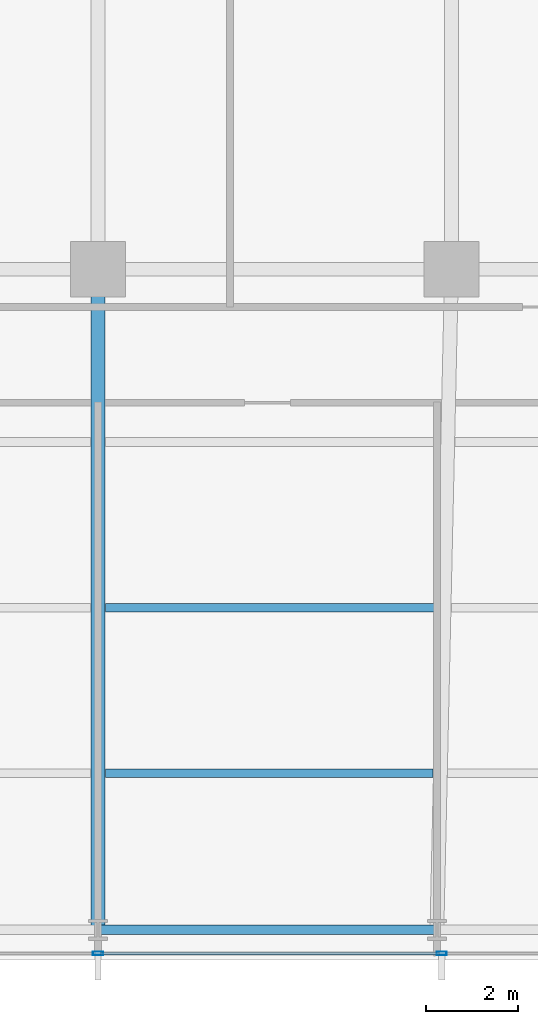
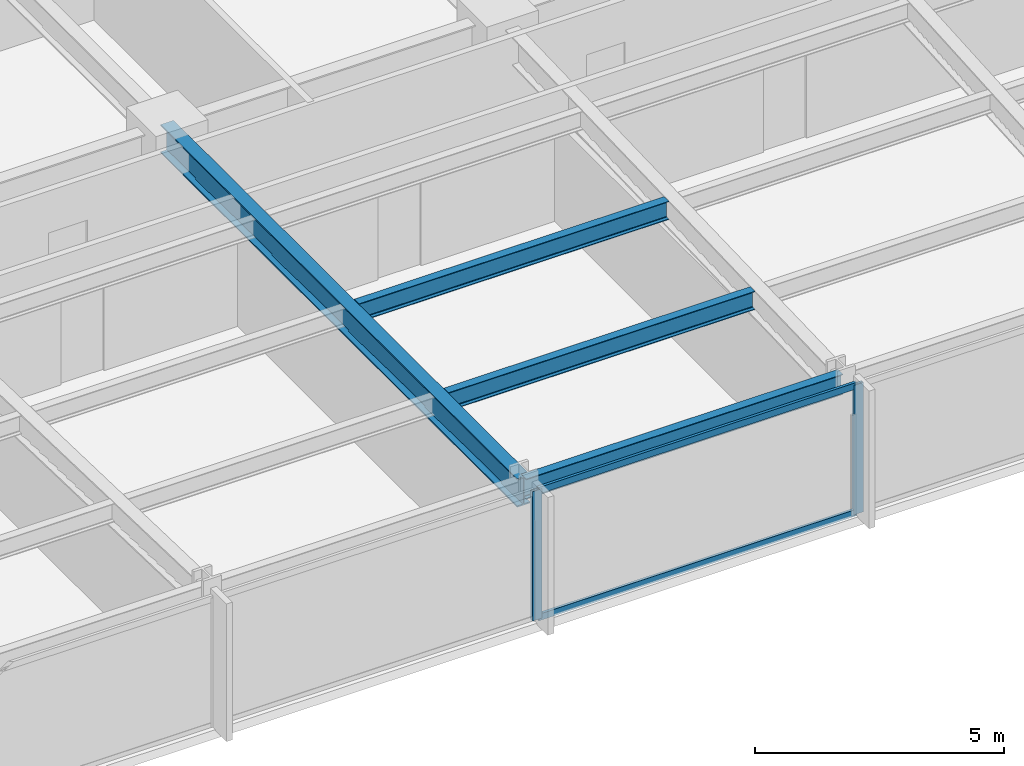
# One storey, part 11 of 33: 4 beams, 4 members, 1 element without a shape of its own.
"""IFC4 building model written with IfcOpenShell, lengths in metres."""

from ifc_helpers import new_model, si_unit, direction, frame, origin, origin_2d, place, context, subcontext, project, spatial, hollow_rectangle, i_section, extrude, material, material_profile, profile_set, type_object, element, aggregate, save


model = new_model("IFC4")

# Units and contexts
model_context = context("Model", 3, precision=1e-05, world=origin(), true_north=direction((0.0, 1.0)))
body_context = subcontext(model_context, "Body", "Model", "MODEL_VIEW")
ifc_project = project(units=[si_unit("LENGTHUNIT", "METRE"), si_unit("AREAUNIT", "SQUARE_METRE"), si_unit("VOLUMEUNIT", "CUBIC_METRE"), si_unit("PLANEANGLEUNIT", "RADIAN"), si_unit("MASSUNIT", "GRAM", prefix="KILO")], contexts=[model_context])

# Site, building, storey
site_placement = place(None, origin())
site = spatial("IfcSite", under=ifc_project, at=site_placement, CompositionType="ELEMENT")
building_placement = place(site_placement, origin())
building = spatial("IfcBuilding", under=site, at=building_placement, Name="Yelkora Congress Tower", CompositionType="ELEMENT")
storey_placement = place(building_placement, frame((0.0, 0.0, 47.39990234375)))
storey = spatial("IfcBuildingStorey", under=building, at=storey_placement, Name="L11", CompositionType="ELEMENT", Elevation=47.39990234375)

# Beams
ifc_material_1 = material(Name="Steel S355J2", Category="steel")
ifc_material_profile_1 = material_profile(ifc_material_1, i_section(OverallWidth=0.300048828125, OverallDepth=0.699951171875, WebThickness=0.01708984375, FlangeThickness=0.031982421875, FilletRadius=0.027099609375, at=origin_2d()), Name="HEB 700")
ifc_profile_set_1 = profile_set([ifc_material_profile_1], Name="Steel S355J2")
beam_type_1 = type_object("IfcBeamType", Name="BM-GIRD-HEB700", PredefinedType="BEAM", material=ifc_profile_set_1)
beam_1_placement = place(storey_placement, frame((38.39990234375, 10.85009765625, 2.830078125), z_axis=(0.0, 1.0, 0.0), x_axis=(-1.0, 0.0, 0.0)))
element("IfcBeam", 1, at=beam_1_placement, inside=storey, type_object=beam_type_1, Name="L11 Primary Frame Girder S05", PredefinedType="BEAM", context=body_context, shape_type="SweptSolid", body=[
    extrude(i_section(OverallWidth=0.300048828125, OverallDepth=0.699951171875, WebThickness=0.01708984375, FlangeThickness=0.031982421875, FilletRadius=0.027099609375, at=origin_2d()), origin(), (0.0, 0.0, 1.0), 14.349853515625),
])
ifc_material_profile_2 = material_profile(ifc_material_1, i_section(OverallWidth=0.18994140625, OverallDepth=0.449951171875, WebThickness=0.009521484375, FlangeThickness=0.0146484375, FilletRadius=0.02099609375, at=origin_2d()), Name="IPE 450")
ifc_profile_set_2 = profile_set([ifc_material_profile_2], Name="Steel S355J2")
beam_type_2 = type_object("IfcBeamType", Name="BM-JOIST-IPE450", PredefinedType="JOIST", material=ifc_profile_set_2)
beam_2_placement = place(storey_placement, frame((38.56005859375, 14.25, 2.955078125), z_axis=(1.0, 0.0, 0.0), x_axis=(0.0, 1.0, 0.0)))
element("IfcBeam", 2, at=beam_2_placement, inside=storey, type_object=beam_type_2, Name="L11 Composite Floor Joist 5", PredefinedType="JOIST", context=body_context, shape_type="SweptSolid", body=[
    extrude(i_section(OverallWidth=0.18994140625, OverallDepth=0.449951171875, WebThickness=0.009521484375, FlangeThickness=0.0146484375, FilletRadius=0.02099609375, at=origin_2d()), origin(), (0.0, 0.0, 1.0), 7.11767578125),
])
beam_3_placement = place(storey_placement, frame((38.56005859375, 17.85009765625, 2.955078125), z_axis=(1.0, 0.0, 0.0), x_axis=(0.0, 1.0, 0.0)))
element("IfcBeam", 3, at=beam_3_placement, inside=storey, type_object=beam_type_2, Name="L11 Composite Floor Joist 13", PredefinedType="JOIST", context=body_context, shape_type="SweptSolid", body=[
    extrude(i_section(OverallWidth=0.18994140625, OverallDepth=0.449951171875, WebThickness=0.009521484375, FlangeThickness=0.0146484375, FilletRadius=0.02099609375, at=origin_2d()), origin(), (0.0, 0.0, 1.0), 7.197265625),
])
ifc_material_profile_3 = material_profile(ifc_material_1, i_section(OverallWidth=0.199951171875, OverallDepth=0.5, WebThickness=0.01025390625, FlangeThickness=0.01611328125, FilletRadius=0.02099609375, at=origin_2d()), Name="IPE 500")
ifc_profile_set_3 = profile_set([ifc_material_profile_3], Name="Steel S355J2")
beam_type_3 = type_object("IfcBeamType", Name="BM-SPAN-IPE500", PredefinedType="SPANDREL", material=ifc_profile_set_3)
beam_4_placement = place(storey_placement, frame((38.39990234375, 10.85009765625, 2.93017578125), z_axis=(1.0, 0.0, 0.0), x_axis=(0.0, 1.0, 0.0)))
element("IfcBeam", 4, at=beam_4_placement, inside=storey, type_object=beam_type_3, Name="L11 Perimeter Beam 6", PredefinedType="SPANDREL", context=body_context, shape_type="SweptSolid", body=[
    extrude(i_section(OverallWidth=0.199951171875, OverallDepth=0.5, WebThickness=0.01025390625, FlangeThickness=0.01611328125, FilletRadius=0.02099609375, at=origin_2d()), origin(), (0.0, 0.0, 1.0), 7.362548828125),
])

# Curtain wall, members
ifc_material_2 = material(Name="Anodised aluminium and insulated glass", Category="aluminium")
curtain_wall_type = type_object("IfcCurtainWallType", Name="CW-SYS-B1", PredefinedType="NOTDEFINED", material=ifc_material_2)
curtain_wall_placement = place(storey_placement, origin())
curtain_wall = element("IfcCurtainWall", 5, at=curtain_wall_placement, inside=storey, type_object=curtain_wall_type, Name="L11 Unitised Curtain Wall 20", PredefinedType="NOTDEFINED")
ifc_material_3 = material(Name="Anodised aluminium 6063-T6", Category="aluminium")
ifc_material_profile_4 = material_profile(ifc_material_3, hollow_rectangle(XDim=0.074951171875, YDim=0.219970703125, WallThickness=0.0048828125, at=origin_2d()), Name="ALU 75x220x5")
ifc_profile_set_4 = profile_set([ifc_material_profile_4], Name="Anodised aluminium 6063-T6")
member_type_1 = type_object("IfcMemberType", Name="MEM-ML-B1", PredefinedType="MULLION", material=ifc_profile_set_4)
member_1_placement = place(storey_placement, frame((45.864990234375, 10.340087890625, 0.0), z_axis=(0.0, 0.0, 1.0), x_axis=(0.0, -1.0, 0.0)))
member_1 = element("IfcMember", 6, at=member_1_placement, type_object=member_type_1, Name="CW-B1 mullion 4", PredefinedType="MULLION", context=body_context, shape_type="SweptSolid", body=[
    extrude(hollow_rectangle(XDim=0.074951171875, YDim=0.219970703125, WallThickness=0.0048828125, at=origin_2d()), origin(), (0.0, 0.0, 1.0), 3.18017578125),
])
member_2_placement = place(storey_placement, frame((38.39990234375, 10.340087890625, 0.0), z_axis=(0.0, 0.0, 1.0), x_axis=(0.0, -1.0, 0.0)))
member_2 = element("IfcMember", 7, at=member_2_placement, type_object=member_type_1, Name="CW-B1 mullion 5", PredefinedType="MULLION", context=body_context, shape_type="SweptSolid", body=[
    extrude(hollow_rectangle(XDim=0.074951171875, YDim=0.219970703125, WallThickness=0.0048828125, at=origin_2d()), origin(), (0.0, 0.0, 1.0), 3.18017578125),
])
ifc_material_profile_5 = material_profile(ifc_material_3, hollow_rectangle(XDim=0.06494140625, YDim=0.159912109375, WallThickness=0.00390625, at=origin_2d()), Name="ALU 65x160x4")
ifc_profile_set_5 = profile_set([ifc_material_profile_5], Name="Anodised aluminium 6063-T6")
member_type_2 = type_object("IfcMemberType", Name="MEM-TR-B1", PredefinedType="USERDEFINED", material=ifc_profile_set_5)
member_3_placement = place(storey_placement, frame((45.827392578125, 10.340087890625, 0.03271484375), z_axis=(-1.0, 0.0, 0.0), x_axis=(0.0, -1.0, 0.0)))
member_3 = element("IfcMember", 8, at=member_3_placement, type_object=member_type_2, Name="CW-B1 transom 4.1", ObjectType="TRANSOM", PredefinedType="USERDEFINED", context=body_context, shape_type="SweptSolid", body=[
    extrude(hollow_rectangle(XDim=0.06494140625, YDim=0.159912109375, WallThickness=0.00390625, at=origin_2d()), origin(), (0.0, 0.0, 1.0), 7.389892578125),
])
member_4_placement = place(storey_placement, frame((45.827392578125, 10.340087890625, 3.147705078125), z_axis=(-1.0, 0.0, 0.0), x_axis=(0.0, -1.0, 0.0)))
member_4 = element("IfcMember", 9, at=member_4_placement, type_object=member_type_2, Name="CW-B1 transom 4.2", ObjectType="TRANSOM", PredefinedType="USERDEFINED", context=body_context, shape_type="SweptSolid", body=[
    extrude(hollow_rectangle(XDim=0.06494140625, YDim=0.159912109375, WallThickness=0.00390625, at=origin_2d()), origin(), (0.0, 0.0, 1.0), 7.389892578125),
])
aggregate(curtain_wall, [member_1, member_2, member_3, member_4])

save(model, "model.ifc")
